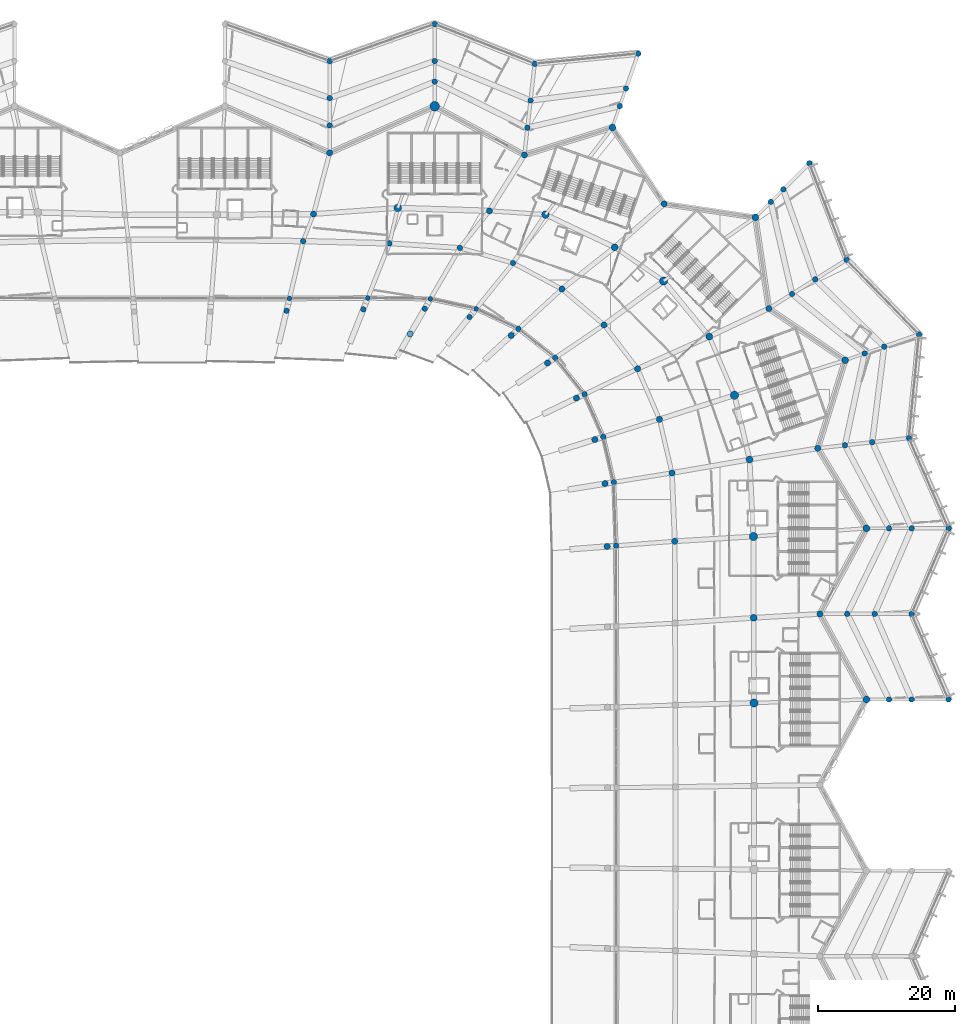
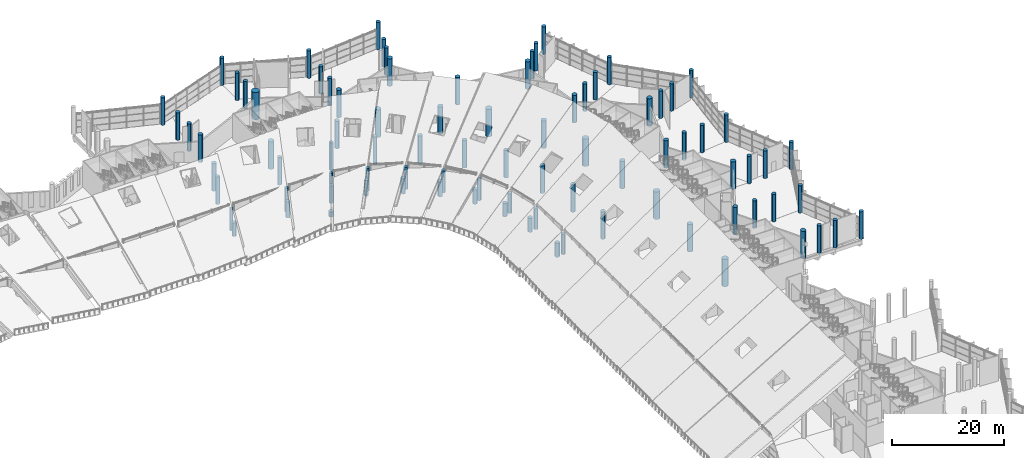
# One storey, part 4 of 249: 88 columns.
"""IFC4 building model written with IfcOpenShell, lengths in metres."""

from ifc_helpers import new_model, si_unit, direction, frame, origin, origin_2d, place, context, subcontext, project, spatial, circle, extrude, material, material_profile, profile_set, type_object, element, save


model = new_model("IFC4")

# Units and contexts
model_context = context("Model", 3, precision=1e-05, world=origin(), true_north=direction((0.0, 1.0)))
body_context = subcontext(model_context, "Body", "Model", "MODEL_VIEW")
ifc_project = project(units=[si_unit("LENGTHUNIT", "METRE"), si_unit("AREAUNIT", "SQUARE_METRE"), si_unit("VOLUMEUNIT", "CUBIC_METRE"), si_unit("PLANEANGLEUNIT", "RADIAN"), si_unit("MASSUNIT", "GRAM", prefix="KILO")], contexts=[model_context])

# Site, building, storey
site_placement = place(None, origin())
site = spatial("IfcSite", under=ifc_project, at=site_placement, CompositionType="ELEMENT")
building_placement = place(site_placement, origin())
building = spatial("IfcBuilding", under=site, at=building_placement, Name="Meseta Stadium", CompositionType="ELEMENT")
storey_placement = place(building_placement, frame((0.0, 0.0, 12.0)))
storey = spatial("IfcBuildingStorey", under=building, at=storey_placement, Name="L02", CompositionType="ELEMENT", Elevation=12.0)

# Columns
ifc_material_1 = material(Name="Concrete C40/50", Category="concrete")
ifc_material_profile_1 = material_profile(ifc_material_1, circle(Radius=0.5, at=origin_2d()), Name="RC D1000")
ifc_profile_set_1 = profile_set([ifc_material_profile_1], Name="Concrete C40/50")
column_type_1 = type_object("IfcColumnType", Name="RC column D1000", PredefinedType="COLUMN", material=ifc_profile_set_1)
for number, where, z_axis, x_axis, name in (
    (1, (101.39990234375, 18.75, 0.0), (0.0, 0.0, 1.0), (1.0, 0.0, 0.0), "Column C10 L02 frame 6 line R"),
    (2, (84.92529296875, 30.681640625, 0.0), (0.0, 0.0, 1.0), (1.0, 0.0, 0.0), "Column C10 L02 frame 7 line P"),
    (3, (101.39990234375, 43.75, 0.0), (0.0, 0.0, 1.0), (1.0, 0.0, 0.0), "Column C10 L02 frame 8 line R"),
    (4, (84.3251953125, 53.801513671875, 0.0), (0.0, 0.0, 1.0), (1.0, 0.0, 0.0), "Column C10 L02 frame 9 line P"),
    (5, (98.291015625, 68.29736328125, 0.0), (0.0, 0.0, 1.0), (1.0, 0.0, 0.0), "Column C10 L02 frame 10 line R"),
    (6, (78.4453125, 71.756103515625, 0.0), (0.0, 0.0, 1.0), (1.0, 0.0, 0.0), "Column C10 L02 frame 11 line P"),
    (7, (85.173828125, 89.173828125, 0.0), (0.0, 0.0, 1.0), (1.0, 0.0, 0.0), "Column C10 L02 frame 12 line R"),
    (8, (64.6220703125, 84.79248046875, 0.0), (0.0, 0.0, 1.0), (1.0, 0.0, 0.0), "Column C10 L02 frame 13 line P"),
    (9, (64.29736328125, 102.291015625, 0.0), (0.0, 0.0, 1.0), (1.0, 0.0, 0.0), "Column C10 L02 frame 14 line R"),
):
    element("IfcColumn", number, at=place(storey_placement, frame(where, z_axis=z_axis, x_axis=x_axis)), inside=storey, type_object=column_type_1, Name=name, PredefinedType="COLUMN", context=body_context, shape_type="SweptSolid", body=[
        extrude(circle(Radius=0.5, at=origin_2d()), origin(), (0.0, 0.0, 1.0), 6.0),
    ])
ifc_material_2 = material(Name="Concrete C40/50", Category="concrete")
ifc_material_profile_2 = material_profile(ifc_material_2, circle(Radius=0.550048828125, at=origin_2d()), Name="RC D1100")
ifc_profile_set_2 = profile_set([ifc_material_profile_2], Name="Concrete C40/50")
column_type_2 = type_object("IfcColumnType", Name="RC column D1100", PredefinedType="COLUMN", material=ifc_profile_set_2)
for number, where, z_axis, x_axis, name in (
    (10, (54.523193359375, 89.579345703125, 0.0), (0.0, 0.0, 1.0), (1.0, 0.0, 0.0), "Column C11 L02 frame 14 line P"),
    (11, (32.944091796875, 90.551025390625, 0.0), (0.0, 0.0, 1.0), (1.0, 0.0, 0.0), "Column C11 L02 frame 16 line P"),
):
    element("IfcColumn", number, at=place(storey_placement, frame(where, z_axis=z_axis, x_axis=x_axis)), inside=storey, type_object=column_type_2, Name=name, PredefinedType="COLUMN", context=body_context, shape_type="SweptSolid", body=[
        extrude(circle(Radius=0.550048828125, at=origin_2d()), origin(), (0.0, 0.0, 1.0), 6.0),
    ])
ifc_material_3 = material(Name="Concrete C40/50", Category="concrete")
ifc_material_profile_3 = material_profile(ifc_material_3, circle(Radius=0.60009765625, at=origin_2d()), Name="RC D1200")
ifc_profile_set_3 = profile_set([ifc_material_profile_3], Name="Concrete C40/50")
column_type_3 = type_object("IfcColumnType", Name="RC column D1200", PredefinedType="COLUMN", material=ifc_profile_set_3)
for number, where, z_axis, x_axis, name in (
    (12, (84.978515625, 18.24365234375, 0.0), (0.0, 0.0, 1.0), (1.0, 0.0, 0.0), "Column C12 L02 frame 6 line P"),
    (13, (84.884033203125, 42.5615234375, 0.0), (0.0, 0.0, 1.0), (1.0, 0.0, 0.0), "Column C12 L02 frame 8 line P"),
    (14, (82.119873046875, 63.191162109375, 0.0), (0.0, 0.0, 1.0), (1.0, 0.0, 0.0), "Column C12 L02 frame 10 line P"),
    (15, (71.775390625, 79.888916015625, 0.0), (0.0, 0.0, 1.0), (1.0, 0.0, 0.0), "Column C12 L02 frame 12 line P"),
):
    element("IfcColumn", number, at=place(storey_placement, frame(where, z_axis=z_axis, x_axis=x_axis)), inside=storey, type_object=column_type_3, Name=name, PredefinedType="COLUMN", context=body_context, shape_type="SweptSolid", body=[
        extrude(circle(Radius=0.60009765625, at=origin_2d()), origin(), (0.0, 0.0, 1.0), 6.0),
    ])
ifc_material_4 = material(Name="Concrete C40/50", Category="concrete")
ifc_material_profile_4 = material_profile(ifc_material_4, circle(Radius=0.699951171875, at=origin_2d()), Name="RC D1400")
ifc_profile_set_4 = profile_set([ifc_material_profile_4], Name="Concrete C40/50")
column_type_4 = type_object("IfcColumnType", Name="RC column D1400", PredefinedType="COLUMN", material=ifc_profile_set_4)
column_1_placement = place(storey_placement, frame((38.333251953125, 105.39990234375, 0.0), z_axis=(0.0, 0.0, 1.0), x_axis=(1.0, 0.0, 0.0)))
element("IfcColumn", 16, at=column_1_placement, inside=storey, type_object=column_type_4, Name="Column C14 L02 frame 16 line R", PredefinedType="COLUMN", context=body_context, shape_type="SweptSolid", body=[
    extrude(circle(Radius=0.699951171875, at=origin_2d()), origin(), (0.0, 0.0, 1.0), 6.0),
])
ifc_material_5 = material(Name="Concrete C40/50", Category="concrete")
ifc_material_profile_5 = material_profile(ifc_material_5, circle(Radius=0.35009765625, at=origin_2d()), Name="RC D700")
ifc_profile_set_5 = profile_set([ifc_material_profile_5], Name="Concrete C40/50")
column_type_5 = type_object("IfcColumnType", Name="RC column D700", PredefinedType="COLUMN", material=ifc_profile_set_5)
column_2_placement = place(storey_placement, frame((44.39013671875, 75.806396484375, 0.0), z_axis=(0.0, 0.0, 1.0), x_axis=(1.0, 0.0, 0.0)))
element("IfcColumn", 17, at=column_2_placement, inside=storey, type_object=column_type_5, Name="Column C7 L02 frame 14 line D", PredefinedType="COLUMN", context=body_context, shape_type="SweptSolid", body=[
    extrude(circle(Radius=0.35009765625, at=origin_2d()), origin(), (0.0, 0.0, 1.0), 5.00537109375),
])
column_3_placement = place(storey_placement, frame((37.711669921875, 77.26171875, 0.0), z_axis=(0.0, 0.0, 1.0), x_axis=(1.0, 0.0, 0.0)))
element("IfcColumn", 18, at=column_3_placement, inside=storey, type_object=column_type_5, Name="Column C7 L02 frame 15 line D", PredefinedType="COLUMN", context=body_context, shape_type="SweptSolid", body=[
    extrude(circle(Radius=0.35009765625, at=origin_2d()), origin(), (0.0, 0.0, 1.0), 5.414306640625),
])
column_4_placement = place(storey_placement, frame((28.564697265625, 77.38330078125, 0.0), z_axis=(0.0, 0.0, 1.0), x_axis=(1.0, 0.0, 0.0)))
element("IfcColumn", 19, at=column_4_placement, inside=storey, type_object=column_type_5, Name="Column C7 L02 frame 16 line D", PredefinedType="COLUMN", context=body_context, shape_type="SweptSolid", body=[
    extrude(circle(Radius=0.35009765625, at=origin_2d()), origin(), (0.0, 0.0, 1.0), 5.293701171875),
])
column_5_placement = place(storey_placement, frame((17.126708984375, 77.33203125, 0.0), z_axis=(0.0, 0.0, 1.0), x_axis=(1.0, 0.0, 0.0)))
element("IfcColumn", 20, at=column_5_placement, inside=storey, type_object=column_type_5, Name="Column C7 L02 frame 17 line D", PredefinedType="COLUMN", context=body_context, shape_type="SweptSolid", body=[
    extrude(circle(Radius=0.35009765625, at=origin_2d()), origin(), (0.0, 0.0, 1.0), 4.7626953125),
])
ifc_material_6 = material(Name="Concrete C40/50", Category="concrete")
ifc_material_profile_6 = material_profile(ifc_material_6, circle(Radius=0.39990234375, at=origin_2d()), Name="RC D800")
ifc_profile_set_6 = profile_set([ifc_material_profile_6], Name="Concrete C40/50")
column_type_6 = type_object("IfcColumnType", Name="RC column D800", PredefinedType="COLUMN", material=ifc_profile_set_6)
column_6_placement = place(storey_placement, frame((64.829833984375, 41.2041015625, 0.0), z_axis=(0.0, 0.0, 1.0), x_axis=(1.0, 0.0, 0.0)))
element("IfcColumn", 21, at=column_6_placement, inside=storey, type_object=column_type_6, Name="Column C8 L02 frame 8 line D", PredefinedType="COLUMN", context=body_context, shape_type="SweptSolid", body=[
    extrude(circle(Radius=0.39990234375, at=origin_2d()), origin(), (0.0, 0.0, 1.0), 4.474609375),
])
column_7_placement = place(storey_placement, frame((64.501708984375, 50.479736328125, 0.0), z_axis=(0.0, 0.0, 1.0), x_axis=(1.0, 0.0, 0.0)))
element("IfcColumn", 22, at=column_7_placement, inside=storey, type_object=column_type_6, Name="Column C8 L02 frame 9 line D", PredefinedType="COLUMN", context=body_context, shape_type="SweptSolid", body=[
    extrude(circle(Radius=0.39990234375, at=origin_2d()), origin(), (0.0, 0.0, 1.0), 4.47900390625),
])
column_8_placement = place(storey_placement, frame((62.963623046875, 57.1044921875, 0.0), z_axis=(0.0, 0.0, 1.0), x_axis=(1.0, 0.0, 0.0)))
element("IfcColumn", 23, at=column_8_placement, inside=storey, type_object=column_type_6, Name="Column C8 L02 frame 10 line D", PredefinedType="COLUMN", context=body_context, shape_type="SweptSolid", body=[
    extrude(circle(Radius=0.39990234375, at=origin_2d()), origin(), (0.0, 0.0, 1.0), 4.30517578125),
])
column_9_placement = place(storey_placement, frame((60.22216796875, 63.33056640625, 0.0), z_axis=(0.0, 0.0, 1.0), x_axis=(1.0, 0.0, 0.0)))
element("IfcColumn", 24, at=column_9_placement, inside=storey, type_object=column_type_6, Name="Column C8 L02 frame 11 line D", PredefinedType="COLUMN", context=body_context, shape_type="SweptSolid", body=[
    extrude(circle(Radius=0.39990234375, at=origin_2d()), origin(), (0.0, 0.0, 1.0), 4.561279296875),
])
column_10_placement = place(storey_placement, frame((55.940185546875, 68.657958984375, 0.0), z_axis=(0.0, 0.0, 1.0), x_axis=(1.0, 0.0, 0.0)))
element("IfcColumn", 25, at=column_10_placement, inside=storey, type_object=column_type_6, Name="Column C8 L02 frame 12 line D", PredefinedType="COLUMN", context=body_context, shape_type="SweptSolid", body=[
    extrude(circle(Radius=0.39990234375, at=origin_2d()), origin(), (0.0, 0.0, 1.0), 4.729248046875),
])
column_11_placement = place(storey_placement, frame((50.571533203125, 72.888671875, 0.0), z_axis=(0.0, 0.0, 1.0), x_axis=(1.0, 0.0, 0.0)))
element("IfcColumn", 26, at=column_11_placement, inside=storey, type_object=column_type_6, Name="Column C8 L02 frame 13 line D", PredefinedType="COLUMN", context=body_context, shape_type="SweptSolid", body=[
    extrude(circle(Radius=0.39990234375, at=origin_2d()), origin(), (0.0, 0.0, 1.0), 4.888671875),
])
column_12_placement = place(storey_placement, frame((43.430419921875, 74.617431640625, 0.0), z_axis=(0.0, 0.0, 1.0), x_axis=(1.0, 0.0, 0.0)))
element("IfcColumn", 27, at=column_12_placement, inside=storey, type_object=column_type_6, Name="Column C8 L02 frame 14 line C", PredefinedType="COLUMN", context=body_context, shape_type="SweptSolid", body=[
    extrude(circle(Radius=0.39990234375, at=origin_2d()), origin(), (0.0, 0.0, 1.0), 3.435791015625),
])
column_13_placement = place(storey_placement, frame((49.791259765625, 82.498779296875, 0.0), z_axis=(0.0, 0.0, 1.0), x_axis=(1.0, 0.0, 0.0)))
element("IfcColumn", 28, at=column_13_placement, inside=storey, type_object=column_type_6, Name="Column C8 L02 frame 14 line E", PredefinedType="COLUMN", context=body_context, shape_type="SweptSolid", body=[
    extrude(circle(Radius=0.39990234375, at=origin_2d()), origin(), (0.0, 0.0, 1.0), 6.0),
])
column_14_placement = place(storey_placement, frame((36.8857421875, 75.8330078125, 0.0), z_axis=(0.0, 0.0, 1.0), x_axis=(1.0, 0.0, 0.0)))
element("IfcColumn", 29, at=column_14_placement, inside=storey, type_object=column_type_6, Name="Column C8 L02 frame 15 line C", PredefinedType="COLUMN", context=body_context, shape_type="SweptSolid", body=[
    extrude(circle(Radius=0.39990234375, at=origin_2d()), origin(), (0.0, 0.0, 1.0), 3.76806640625),
])
column_15_placement = place(storey_placement, frame((42.015625, 84.707275390625, 0.0), z_axis=(0.0, 0.0, 1.0), x_axis=(1.0, 0.0, 0.0)))
element("IfcColumn", 30, at=column_15_placement, inside=storey, type_object=column_type_6, Name="Column C8 L02 frame 15 line E", PredefinedType="COLUMN", context=body_context, shape_type="SweptSolid", body=[
    extrude(circle(Radius=0.39990234375, at=origin_2d()), origin(), (0.0, 0.0, 1.0), 6.0),
])
column_16_placement = place(storey_placement, frame((27.910888671875, 75.735595703125, 0.0), z_axis=(0.0, 0.0, 1.0), x_axis=(1.0, 0.0, 0.0)))
element("IfcColumn", 31, at=column_16_placement, inside=storey, type_object=column_type_6, Name="Column C8 L02 frame 16 line C", PredefinedType="COLUMN", context=body_context, shape_type="SweptSolid", body=[
    extrude(circle(Radius=0.39990234375, at=origin_2d()), origin(), (0.0, 0.0, 1.0), 3.5712890625),
])
column_17_placement = place(storey_placement, frame((31.73681640625, 85.376708984375, 0.0), z_axis=(0.0, 0.0, 1.0), x_axis=(1.0, 0.0, 0.0)))
element("IfcColumn", 32, at=column_17_placement, inside=storey, type_object=column_type_6, Name="Column C8 L02 frame 16 line E", PredefinedType="COLUMN", context=body_context, shape_type="SweptSolid", body=[
    extrude(circle(Radius=0.39990234375, at=origin_2d()), origin(), (0.0, 0.0, 1.0), 6.0),
])
column_18_placement = place(storey_placement, frame((16.697509765625, 75.529541015625, 0.0), z_axis=(0.0, 0.0, 1.0), x_axis=(1.0, 0.0, 0.0)))
element("IfcColumn", 33, at=column_18_placement, inside=storey, type_object=column_type_6, Name="Column C8 L02 frame 17 line C", PredefinedType="COLUMN", context=body_context, shape_type="SweptSolid", body=[
    extrude(circle(Radius=0.39990234375, at=origin_2d()), origin(), (0.0, 0.0, 1.0), 2.990478515625),
])
for number, where, z_axis, x_axis, name in (
    (34, (19.11865234375, 85.6982421875, 0.0), (0.0, 0.0, 1.0), (1.0, 0.0, 0.0), "Column C8 L02 frame 17 line E"),
    (35, (104.699951171875, 18.75, 0.0), (0.0, 0.0, 1.0), (1.0, 0.0, 0.0), "Ring column C8 L02 frame 6 line M"),
    (36, (108.0, 18.75, 0.0), (0.0, 0.0, 1.0), (1.0, 0.0, 0.0), "Ring column C8 L02 frame 6 line Q"),
    (37, (113.39990234375, 18.75, 0.0), (0.0, 0.0, 1.0), (1.0, 0.0, 0.0), "Ring column C8 L02 frame 6 line O"),
    (38, (98.60009765625, 31.25, 0.0), (0.0, 0.0, 1.0), (1.0, 0.0, 0.0), "Ring column C8 L02 frame 7 line M"),
    (39, (102.60009765625, 31.25, 0.0), (0.0, 0.0, 1.0), (1.0, 0.0, 0.0), "Ring column C8 L02 frame 7 line Q"),
    (40, (108.0, 31.25, 0.0), (0.0, 0.0, 1.0), (1.0, 0.0, 0.0), "Ring column C8 L02 frame 7 line O"),
    (41, (104.699951171875, 43.75, 0.0), (0.0, 0.0, 1.0), (1.0, 0.0, 0.0), "Ring column C8 L02 frame 8 line M"),
    (42, (108.0, 43.75, 0.0), (0.0, 0.0, 1.0), (1.0, 0.0, 0.0), "Ring column C8 L02 frame 8 line Q"),
    (43, (113.39990234375, 43.75, 0.0), (0.0, 0.0, 1.0), (1.0, 0.0, 0.0), "Ring column C8 L02 frame 8 line O"),
    (44, (98.269287109375, 55.889404296875, 0.0), (0.0, 0.0, 1.0), (1.0, 0.0, 0.0), "Ring column C8 L02 frame 9 line M"),
    (45, (102.244140625, 56.337158203125, 0.0), (0.0, 0.0, 1.0), (1.0, 0.0, 0.0), "Ring column C8 L02 frame 9 line Q"),
    (46, (107.610107421875, 56.94189453125, 0.0), (0.0, 0.0, 1.0), (1.0, 0.0, 0.0), "Ring column C8 L02 frame 9 line O"),
    (47, (101.140380859375, 69.29443359375, 0.0), (0.0, 0.0, 1.0), (1.0, 0.0, 0.0), "Ring column C8 L02 frame 10 line M"),
    (48, (103.989990234375, 70.29150390625, 0.0), (0.0, 0.0, 1.0), (1.0, 0.0, 0.0), "Ring column C8 L02 frame 10 line Q"),
    (49, (109.0869140625, 72.0751953125, 0.0), (0.0, 0.0, 1.0), (1.0, 0.0, 0.0), "Ring column C8 L02 frame 10 line O"),
    (50, (90.53759765625, 77.98486328125, 0.0), (0.0, 0.0, 1.0), (1.0, 0.0, 0.0), "Ring column C8 L02 frame 11 line M"),
    (51, (93.924560546875, 80.113037109375, 0.0), (0.0, 0.0, 1.0), (1.0, 0.0, 0.0), "Ring column C8 L02 frame 11 line Q"),
    (52, (98.496826171875, 82.986083984375, 0.0), (0.0, 0.0, 1.0), (1.0, 0.0, 0.0), "Ring column C8 L02 frame 11 line O"),
    (53, (87.426513671875, 91.426513671875, 0.0), (0.0, 0.0, 1.0), (1.0, 0.0, 0.0), "Ring column C8 L02 frame 12 line M"),
    (54, (89.2548828125, 93.2548828125, 0.0), (0.0, 0.0, 1.0), (1.0, 0.0, 0.0), "Ring column C8 L02 frame 12 line Q"),
    (55, (93.0732421875, 97.0732421875, 0.0), (0.0, 0.0, 1.0), (1.0, 0.0, 0.0), "Ring column C8 L02 frame 12 line O"),
    (56, (65.3935546875, 105.423583984375, 0.0), (0.0, 0.0, 1.0), (1.0, 0.0, 0.0), "Ring column C8 L02 frame 14 line M"),
    (57, (66.29150390625, 107.989990234375, 0.0), (0.0, 0.0, 1.0), (1.0, 0.0, 0.0), "Ring column C8 L02 frame 14 line Q"),
    (58, (68.0751953125, 113.0869140625, 0.0), (0.0, 0.0, 1.0), (1.0, 0.0, 0.0), "Ring column C8 L02 frame 14 line O"),
    (59, (51.889404296875, 102.269287109375, 0.0), (0.0, 0.0, 1.0), (1.0, 0.0, 0.0), "Ring column C8 L02 frame 15 line M"),
    (60, (52.337158203125, 106.244140625, 0.0), (0.0, 0.0, 1.0), (1.0, 0.0, 0.0), "Ring column C8 L02 frame 15 line Q"),
    (61, (52.94189453125, 111.610107421875, 0.0), (0.0, 0.0, 1.0), (1.0, 0.0, 0.0), "Ring column C8 L02 frame 15 line O"),
    (62, (38.333251953125, 109.0, 0.0), (0.0, 0.0, 1.0), (1.0, 0.0, 0.0), "Ring column C8 L02 frame 16 line M"),
    (63, (38.333251953125, 112.0, 0.0), (0.0, 0.0, 1.0), (1.0, 0.0, 0.0), "Ring column C8 L02 frame 16 line Q"),
    (64, (38.333251953125, 117.39990234375, 0.0), (0.0, 0.0, 1.0), (1.0, 0.0, 0.0), "Ring column C8 L02 frame 16 line O"),
    (65, (23.0, 102.60009765625, 0.0), (0.0, 0.0, 1.0), (1.0, 0.0, 0.0), "Ring column C8 L02 frame 17 line M"),
    (66, (23.0, 106.60009765625, 0.0), (0.0, 0.0, 1.0), (1.0, 0.0, 0.0), "Ring column C8 L02 frame 17 line Q"),
    (67, (23.0, 112.0, 0.0), (0.0, 0.0, 1.0), (1.0, 0.0, 0.0), "Ring column C8 L02 frame 17 line O"),
):
    element("IfcColumn", number, at=place(storey_placement, frame(where, z_axis=z_axis, x_axis=x_axis)), inside=storey, type_object=column_type_6, Name=name, PredefinedType="COLUMN", context=body_context, shape_type="SweptSolid", body=[
        extrude(circle(Radius=0.39990234375, at=origin_2d()), origin(), (0.0, 0.0, 1.0), 6.0),
    ])
ifc_material_7 = material(Name="Concrete C40/50", Category="concrete")
ifc_material_profile_7 = material_profile(ifc_material_7, circle(Radius=0.449951171875, at=origin_2d()), Name="RC D900")
ifc_profile_set_7 = profile_set([ifc_material_profile_7], Name="Concrete C40/50")
column_type_7 = type_object("IfcColumnType", Name="RC column D900", PredefinedType="COLUMN", material=ifc_profile_set_7)
column_19_placement = place(storey_placement, frame((94.60009765625, 31.25, 0.0), z_axis=(0.0, 0.0, 1.0), x_axis=(1.0, 0.0, 0.0)))
element("IfcColumn", 68, at=column_19_placement, inside=storey, type_object=column_type_7, Name="Column C9 L02 frame 7 line R", PredefinedType="COLUMN", context=body_context, shape_type="SweptSolid", body=[
    extrude(circle(Radius=0.449951171875, at=origin_2d()), origin(), (0.0, 0.0, 1.0), 6.0),
])
column_20_placement = place(storey_placement, frame((63.53369140625, 41.1044921875, 0.0), z_axis=(0.0, 0.0, 1.0), x_axis=(1.0, 0.0, 0.0)))
element("IfcColumn", 69, at=column_20_placement, inside=storey, type_object=column_type_7, Name="Column C9 L02 frame 8 line C", PredefinedType="COLUMN", context=body_context, shape_type="SweptSolid", body=[
    extrude(circle(Radius=0.449951171875, at=origin_2d()), origin(), (0.0, 0.0, 1.0), 3.044677734375),
])
column_21_placement = place(storey_placement, frame((73.40478515625, 41.8623046875, 0.0), z_axis=(0.0, 0.0, 1.0), x_axis=(1.0, 0.0, 0.0)))
element("IfcColumn", 70, at=column_21_placement, inside=storey, type_object=column_type_7, Name="Column C9 L02 frame 8 line E", PredefinedType="COLUMN", context=body_context, shape_type="SweptSolid", body=[
    extrude(circle(Radius=0.449951171875, at=origin_2d()), origin(), (0.0, 0.0, 1.0), 6.0),
])
column_22_placement = place(storey_placement, frame((63.21826171875, 50.27294921875, 0.0), z_axis=(0.0, 0.0, 1.0), x_axis=(1.0, 0.0, 0.0)))
element("IfcColumn", 71, at=column_22_placement, inside=storey, type_object=column_type_7, Name="Column C9 L02 frame 9 line C", PredefinedType="COLUMN", context=body_context, shape_type="SweptSolid", body=[
    extrude(circle(Radius=0.449951171875, at=origin_2d()), origin(), (0.0, 0.0, 1.0), 3.0498046875),
])
for number, where, z_axis, x_axis, name in (
    (72, (72.9921875, 51.84716796875, 0.0), (0.0, 0.0, 1.0), (1.0, 0.0, 0.0), "Column C9 L02 frame 9 line E"),
    (73, (94.29443359375, 55.44140625, 0.0), (0.0, 0.0, 1.0), (1.0, 0.0, 0.0), "Column C9 L02 frame 9 line R"),
):
    element("IfcColumn", number, at=place(storey_placement, frame(where, z_axis=z_axis, x_axis=x_axis)), inside=storey, type_object=column_type_7, Name=name, PredefinedType="COLUMN", context=body_context, shape_type="SweptSolid", body=[
        extrude(circle(Radius=0.449951171875, at=origin_2d()), origin(), (0.0, 0.0, 1.0), 6.0),
    ])
column_23_placement = place(storey_placement, frame((61.72314453125, 56.715576171875, 0.0), z_axis=(0.0, 0.0, 1.0), x_axis=(1.0, 0.0, 0.0)))
element("IfcColumn", 74, at=column_23_placement, inside=storey, type_object=column_type_7, Name="Column C9 L02 frame 10 line C", PredefinedType="COLUMN", context=body_context, shape_type="SweptSolid", body=[
    extrude(circle(Radius=0.449951171875, at=origin_2d()), origin(), (0.0, 0.0, 1.0), 2.877197265625),
])
column_24_placement = place(storey_placement, frame((71.169677734375, 59.67724609375, 0.0), z_axis=(0.0, 0.0, 1.0), x_axis=(1.0, 0.0, 0.0)))
element("IfcColumn", 75, at=column_24_placement, inside=storey, type_object=column_type_7, Name="Column C9 L02 frame 10 line E", PredefinedType="COLUMN", context=body_context, shape_type="SweptSolid", body=[
    extrude(circle(Radius=0.449951171875, at=origin_2d()), origin(), (0.0, 0.0, 1.0), 6.0),
])
column_25_placement = place(storey_placement, frame((59.049072265625, 62.766357421875, 0.0), z_axis=(0.0, 0.0, 1.0), x_axis=(1.0, 0.0, 0.0)))
element("IfcColumn", 76, at=column_25_placement, inside=storey, type_object=column_type_7, Name="Column C9 L02 frame 11 line C", PredefinedType="COLUMN", context=body_context, shape_type="SweptSolid", body=[
    extrude(circle(Radius=0.449951171875, at=origin_2d()), origin(), (0.0, 0.0, 1.0), 3.13232421875),
])
for number, where, z_axis, x_axis, name in (
    (77, (67.972412109375, 67.057861328125, 0.0), (0.0, 0.0, 1.0), (1.0, 0.0, 0.0), "Column C9 L02 frame 11 line E"),
    (78, (87.15087890625, 75.856689453125, 0.0), (0.0, 0.0, 1.0), (1.0, 0.0, 0.0), "Column C9 L02 frame 11 line R"),
):
    element("IfcColumn", number, at=place(storey_placement, frame(where, z_axis=z_axis, x_axis=x_axis)), inside=storey, type_object=column_type_7, Name=name, PredefinedType="COLUMN", context=body_context, shape_type="SweptSolid", body=[
        extrude(circle(Radius=0.449951171875, at=origin_2d()), origin(), (0.0, 0.0, 1.0), 6.0),
    ])
column_26_placement = place(storey_placement, frame((54.819580078125, 67.901611328125, 0.0), z_axis=(0.0, 0.0, 1.0), x_axis=(1.0, 0.0, 0.0)))
element("IfcColumn", 79, at=column_26_placement, inside=storey, type_object=column_type_7, Name="Column C9 L02 frame 12 line C", PredefinedType="COLUMN", context=body_context, shape_type="SweptSolid", body=[
    extrude(circle(Radius=0.449951171875, at=origin_2d()), origin(), (0.0, 0.0, 1.0), 3.268798828125),
])
column_27_placement = place(storey_placement, frame((63.068115234375, 73.469970703125, 0.0), z_axis=(0.0, 0.0, 1.0), x_axis=(1.0, 0.0, 0.0)))
element("IfcColumn", 80, at=column_27_placement, inside=storey, type_object=column_type_7, Name="Column C9 L02 frame 12 line E", PredefinedType="COLUMN", context=body_context, shape_type="SweptSolid", body=[
    extrude(circle(Radius=0.449951171875, at=origin_2d()), origin(), (0.0, 0.0, 1.0), 6.0),
])
column_28_placement = place(storey_placement, frame((49.518310546875, 71.924560546875, 0.0), z_axis=(0.0, 0.0, 1.0), x_axis=(1.0, 0.0, 0.0)))
element("IfcColumn", 81, at=column_28_placement, inside=storey, type_object=column_type_7, Name="Column C9 L02 frame 13 line C", PredefinedType="COLUMN", context=body_context, shape_type="SweptSolid", body=[
    extrude(circle(Radius=0.449951171875, at=origin_2d()), origin(), (0.0, 0.0, 1.0), 3.381103515625),
])
for number, where, z_axis, x_axis, name in (
    (82, (56.9150390625, 78.69580078125, 0.0), (0.0, 0.0, 1.0), (1.0, 0.0, 0.0), "Column C9 L02 frame 13 line E"),
    (83, (71.856689453125, 91.15087890625, 0.0), (0.0, 0.0, 1.0), (1.0, 0.0, 0.0), "Column C9 L02 frame 13 line R"),
):
    element("IfcColumn", number, at=place(storey_placement, frame(where, z_axis=z_axis, x_axis=x_axis)), inside=storey, type_object=column_type_7, Name=name, PredefinedType="COLUMN", context=body_context, shape_type="SweptSolid", body=[
        extrude(circle(Radius=0.449951171875, at=origin_2d()), origin(), (0.0, 0.0, 1.0), 6.0),
    ])
column_29_placement = place(storey_placement, frame((34.7607421875, 72.15625, 0.0), z_axis=(0.0, 0.0, 1.0), x_axis=(1.0, 0.0, 0.0)))
element("IfcColumn", 84, at=column_29_placement, inside=storey, type_object=column_type_7, Name="Column C9 L02 frame 15 line U", PredefinedType="COLUMN", context=body_context, shape_type="SweptSolid", body=[
    extrude(circle(Radius=0.449951171875, at=origin_2d()), origin(), (0.0, 0.0, 1.0), 1.151611328125),
])
for number, where, z_axis, x_axis, name in (
    (85, (46.333251953125, 90.126220703125, 0.0), (0.0, 0.0, 1.0), (1.0, 0.0, 0.0), "Column C9 L02 frame 15 line P"),
    (86, (51.44140625, 98.29443359375, 0.0), (0.0, 0.0, 1.0), (1.0, 0.0, 0.0), "Column C9 L02 frame 15 line R"),
    (87, (20.649658203125, 89.65625, 0.0), (0.0, 0.0, 1.0), (1.0, 0.0, 0.0), "Column C9 L02 frame 17 line P"),
    (88, (23.0, 98.60009765625, 0.0), (0.0, 0.0, 1.0), (1.0, 0.0, 0.0), "Column C9 L02 frame 17 line R"),
):
    element("IfcColumn", number, at=place(storey_placement, frame(where, z_axis=z_axis, x_axis=x_axis)), inside=storey, type_object=column_type_7, Name=name, PredefinedType="COLUMN", context=body_context, shape_type="SweptSolid", body=[
        extrude(circle(Radius=0.449951171875, at=origin_2d()), origin(), (0.0, 0.0, 1.0), 6.0),
    ])

save(model, "model.ifc")
